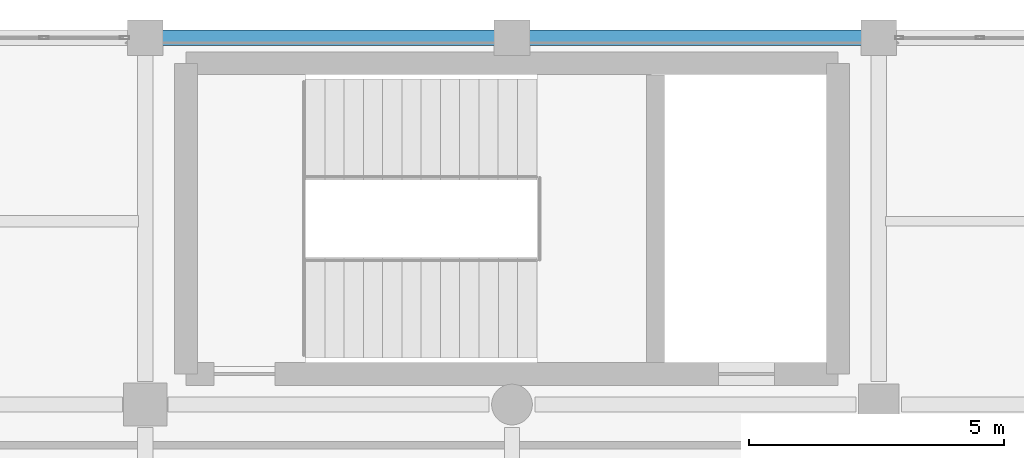
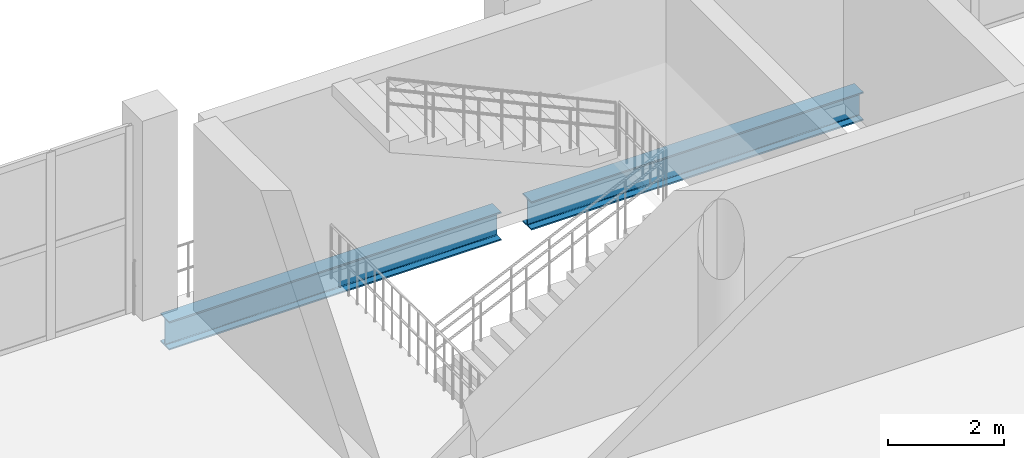
# One storey, part 113 of 153: 2 beams.
"""IFC4 building model written with IfcOpenShell, lengths in metres."""

from ifc_helpers import new_model, si_unit, direction, frame, origin, origin_2d, place, context, subcontext, project, spatial, i_section, extrude, material, material_profile, profile_set, type_object, element, save


model = new_model("IFC4")

# Units and contexts
model_context = context("Model", 3, precision=1e-05, world=origin(), true_north=direction((0.0, 1.0)))
body_context = subcontext(model_context, "Body", "Model", "MODEL_VIEW")
ifc_project = project(units=[si_unit("LENGTHUNIT", "METRE"), si_unit("AREAUNIT", "SQUARE_METRE"), si_unit("VOLUMEUNIT", "CUBIC_METRE"), si_unit("PLANEANGLEUNIT", "RADIAN"), si_unit("MASSUNIT", "GRAM", prefix="KILO")], contexts=[model_context])

# Site, building, storey
site_placement = place(None, origin())
site = spatial("IfcSite", under=ifc_project, at=site_placement, CompositionType="ELEMENT")
building_placement = place(site_placement, origin())
building = spatial("IfcBuilding", under=site, at=building_placement, Name="Qandorah Velis Arena", CompositionType="ELEMENT")
storey_placement = place(building_placement, frame((0.0, 0.0, 5.39990234375)))
storey = spatial("IfcBuildingStorey", under=building, at=storey_placement, Name="L01", CompositionType="ELEMENT", Elevation=5.39990234375)

# Beams
ifc_material = material(Name="Steel S355", Category="steel")
ifc_material_profile = material_profile(ifc_material, i_section(OverallWidth=0.300048828125, OverallDepth=0.60009765625, WebThickness=0.015380859375, FlangeThickness=0.030029296875, FilletRadius=0.027099609375, at=origin_2d()), Name="HEB 600")
ifc_profile_set = profile_set([ifc_material_profile], Name="Steel S355")
beam_type = type_object("IfcBeamType", Name="STR-BM-HEB600", PredefinedType="BEAM", material=ifc_profile_set)
for number, where, z_axis, x_axis, name in (
    (1, (50.699951171875, 129.60009765625, -0.659912109375), (1.0, 0.0, 0.0), (0.0, 1.0, 0.0), "Primary floor girder L01 X-211"),
    (2, (57.89990234375, 129.60009765625, -0.659912109375), (1.0, 0.0, 0.0), (0.0, 1.0, 0.0), "Primary floor girder L01 X-212"),
):
    element("IfcBeam", number, at=place(storey_placement, frame(where, z_axis=z_axis, x_axis=x_axis)), inside=storey, type_object=beam_type, Name=name, PredefinedType="BEAM", context=body_context, shape_type="SweptSolid", body=[
        extrude(i_section(OverallWidth=0.300048828125, OverallDepth=0.60009765625, WebThickness=0.015380859375, FlangeThickness=0.030029296875, FilletRadius=0.027099609375, at=origin_2d()), origin(), (0.0, 0.0, 1.0), 6.60009765625),
    ])

save(model, "model.ifc")
